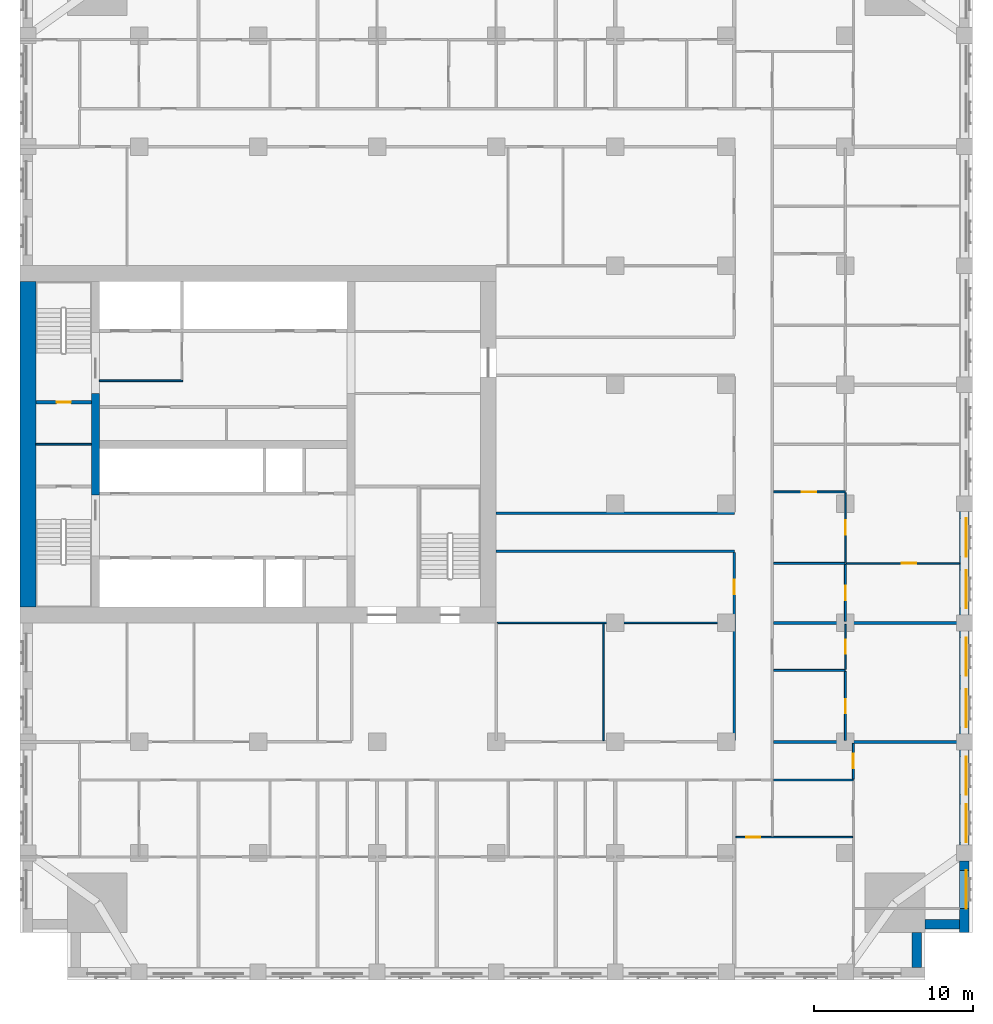
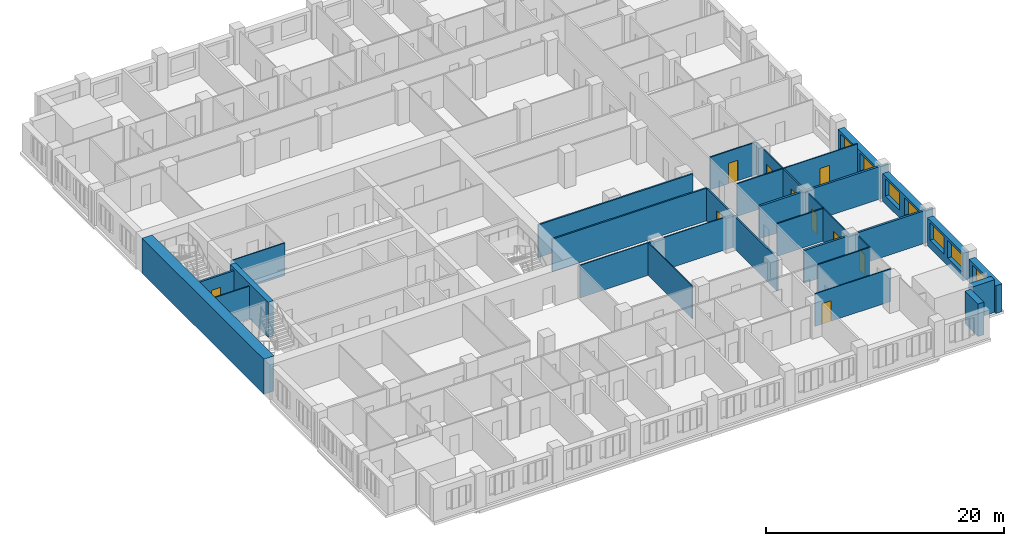
# One storey, part 7 of 14: 29 walls, 10 doors, 7 windows, 17 openings.
"""IFC4 building model written with IfcOpenShell, lengths in metres."""

from ifc_helpers import new_model, si_unit, direction, frame, frame_2d, origin, place, context, subcontext, project, spatial, rectangle, extrude, material, layer, layer_set, type_object, element, fill, save


model = new_model("IFC4")

# Units and contexts
model_context = context("Model", 3, precision=1e-05, world=origin(), true_north=direction((0.0, 1.0)))
body_context = subcontext(model_context, "Body", "Model", "MODEL_VIEW")
ifc_project = project(units=[si_unit("LENGTHUNIT", "METRE"), si_unit("AREAUNIT", "SQUARE_METRE"), si_unit("VOLUMEUNIT", "CUBIC_METRE"), si_unit("PLANEANGLEUNIT", "RADIAN"), si_unit("MASSUNIT", "GRAM", prefix="KILO")], contexts=[model_context])

# Site, building, storey
site_placement = place(None, origin())
site = spatial("IfcSite", under=ifc_project, at=site_placement, CompositionType="ELEMENT")
building_placement = place(site_placement, origin())
building = spatial("IfcBuilding", under=site, at=building_placement, Name="Tamorin Gate", CompositionType="ELEMENT")
storey_placement = place(building_placement, frame((0.0, 0.0, 104.300048828125)))
storey = spatial("IfcBuildingStorey", under=building, at=storey_placement, Name="L25", CompositionType="ELEMENT", Elevation=104.300048828125)

# Walls
ifc_material_1 = material(Name="Precast concrete C40/50", Category="concrete")
ifc_layer_1 = layer(ifc_material_1, 0.60009765625)
ifc_layer_set_1 = layer_set([ifc_layer_1], Name="Precast concrete C40/50")
wall_type_1 = type_object("IfcWallType", Name="Board-marked concrete facade panel 600", PredefinedType="SOLIDWALL", material=ifc_layer_set_1)
for number, where, z_axis, x_axis, name in (
    (1, (86.5, 38.300048828125, 0.0), (0.0, 0.0, 1.0), (0.0, 1.0, 0.0), "Facade panel"),
    (2, (87.0, 41.0, 0.0), (0.0, 0.0, 1.0), (1.0, 0.0, 0.0), "Facade panel"),
):
    element("IfcWall", number, at=place(storey_placement, frame(where, z_axis=z_axis, x_axis=x_axis)), inside=storey, type_object=wall_type_1, Name=name, PredefinedType="SOLIDWALL", context=body_context, shape_type="SweptSolid", body=[
        extrude(rectangle(XDim=2.199951171875, YDim=0.60009765625, at=frame_2d((1.10009765625, 0.0))), origin(), (0.0, 0.0, 1.0), 3.349853515625),
    ])

# Wall, opening, window
wall_1_placement = place(storey_placement, frame((89.5, 40.5, 0.0), z_axis=(0.0, 0.0, 1.0), x_axis=(0.0, 1.0, 0.0)))
wall_1 = element("IfcWall", 3, at=wall_1_placement, inside=storey, type_object=wall_type_1, Name="Facade panel", PredefinedType="SOLIDWALL", context=body_context, shape_type="SweptSolid", body=[
    extrude(rectangle(XDim=4.5, YDim=0.60009765625, at=frame_2d((2.25, 0.0))), origin(), (0.0, 0.0, 1.0), 2.849853515625),
])
opening_1_placement = place(wall_1_placement, frame((1.5, 0.0, 0.800048828125)))
opening_1 = element("IfcOpeningElement", 4, at=opening_1_placement, cuts=wall_1, Name="Opening WN1", PredefinedType="OPENING", context=body_context, shape_type="SweptSolid", body=[
    extrude(rectangle(XDim=2.39990234375, YDim=1.800048828125, at=frame_2d((1.199951171875, 0.89990234375))), frame((0.0, 0.31005859375, 0.0), z_axis=(0.0, -1.0, 0.0), x_axis=(1.0, 0.0, 0.0)), (0.0, 0.0, 1.0), 0.6201171875),
])
ifc_material_2 = material(Name="Clear glass in aluminium frame", Category="aluminium")
window_type = type_object("IfcWindowType", Name="Deep-set window 2400x1800", PartitioningType="SINGLE_PANEL", PredefinedType="WINDOW", material=ifc_material_2)
window_1_placement = place(opening_1_placement, origin())
window_1 = element("IfcWindow", 5, at=window_1_placement, inside=storey, type_object=window_type, Name="Deep-set window", OverallHeight=1.800048828125, OverallWidth=2.39990234375, PartitioningType="SINGLE_PANEL", PredefinedType="WINDOW", context=body_context, shape_type="SweptSolid", body=[
    extrude(rectangle(XDim=2.39990234375, YDim=1.800048828125, at=frame_2d((1.199951171875, 0.89990234375))), frame((0.0, -0.070068359375, 0.0), z_axis=(0.0, -1.0, 0.0), x_axis=(1.0, 0.0, 0.0)), (0.0, 0.0, 1.0), 0.06005859375),
])
fill(opening_1, window_1)

# Wall, openings, windows
wall_2_placement = place(storey_placement, frame((89.5, 46.0, 0.0), z_axis=(0.0, 0.0, 1.0), x_axis=(0.0, 1.0, 0.0)))
wall_2 = element("IfcWall", 6, at=wall_2_placement, inside=storey, type_object=wall_type_1, Name="Facade panel", PredefinedType="SOLIDWALL", context=body_context, shape_type="SweptSolid", body=[
    extrude(rectangle(XDim=6.0, YDim=0.60009765625, at=frame_2d((3.0, 0.0))), origin(), (0.0, 0.0, 1.0), 2.849853515625),
])
opening_2_placement = place(wall_2_placement, frame((0.175048828125, 0.0, 0.800048828125)))
opening_2 = element("IfcOpeningElement", 7, at=opening_2_placement, cuts=wall_2, Name="Opening WN1", PredefinedType="OPENING", context=body_context, shape_type="SweptSolid", body=[
    extrude(rectangle(XDim=2.39990234375, YDim=1.800048828125, at=frame_2d((1.199951171875, 0.89990234375))), frame((0.0, 0.31005859375, 0.0), z_axis=(0.0, -1.0, 0.0), x_axis=(1.0, 0.0, 0.0)), (0.0, 0.0, 1.0), 0.6201171875),
])
opening_3_placement = place(wall_2_placement, frame((3.175048828125, 0.0, 0.800048828125)))
opening_3 = element("IfcOpeningElement", 8, at=opening_3_placement, cuts=wall_2, Name="Opening WN1", PredefinedType="OPENING", context=body_context, shape_type="SweptSolid", body=[
    extrude(rectangle(XDim=2.39990234375, YDim=1.800048828125, at=frame_2d((1.199951171875, 0.89990234375))), frame((0.0, 0.31005859375, 0.0), z_axis=(0.0, -1.0, 0.0), x_axis=(1.0, 0.0, 0.0)), (0.0, 0.0, 1.0), 0.6201171875),
])
window_2_placement = place(opening_2_placement, origin())
window_2 = element("IfcWindow", 9, at=window_2_placement, inside=storey, type_object=window_type, Name="Deep-set window", OverallHeight=1.800048828125, OverallWidth=2.39990234375, PartitioningType="SINGLE_PANEL", PredefinedType="WINDOW", context=body_context, shape_type="SweptSolid", body=[
    extrude(rectangle(XDim=2.39990234375, YDim=1.800048828125, at=frame_2d((1.199951171875, 0.89990234375))), frame((0.0, -0.070068359375, 0.0), z_axis=(0.0, -1.0, 0.0), x_axis=(1.0, 0.0, 0.0)), (0.0, 0.0, 1.0), 0.06005859375),
])
fill(opening_2, window_2)
window_3_placement = place(opening_3_placement, origin())
window_3 = element("IfcWindow", 10, at=window_3_placement, inside=storey, type_object=window_type, Name="Deep-set window", OverallHeight=1.800048828125, OverallWidth=2.39990234375, PartitioningType="SINGLE_PANEL", PredefinedType="WINDOW", context=body_context, shape_type="SweptSolid", body=[
    extrude(rectangle(XDim=2.39990234375, YDim=1.800048828125, at=frame_2d((1.199951171875, 0.89990234375))), frame((0.0, -0.070068359375, 0.0), z_axis=(0.0, -1.0, 0.0), x_axis=(1.0, 0.0, 0.0)), (0.0, 0.0, 1.0), 0.06005859375),
])
fill(opening_3, window_3)

wall_3_placement = place(storey_placement, frame((89.5, 53.0, 0.0), z_axis=(0.0, 0.0, 1.0), x_axis=(0.0, 1.0, 0.0)))
wall_3 = element("IfcWall", 11, at=wall_3_placement, inside=storey, type_object=wall_type_1, Name="Facade panel", PredefinedType="SOLIDWALL", context=body_context, shape_type="SweptSolid", body=[
    extrude(rectangle(XDim=6.5, YDim=0.60009765625, at=frame_2d((3.25, 0.0))), origin(), (0.0, 0.0, 1.0), 2.849853515625),
])
opening_4_placement = place(wall_3_placement, frame((0.425048828125, 0.0, 0.800048828125)))
opening_4 = element("IfcOpeningElement", 12, at=opening_4_placement, cuts=wall_3, Name="Opening WN1", PredefinedType="OPENING", context=body_context, shape_type="SweptSolid", body=[
    extrude(rectangle(XDim=2.39990234375, YDim=1.800048828125, at=frame_2d((1.199951171875, 0.89990234375))), frame((0.0, 0.31005859375, 0.0), z_axis=(0.0, -1.0, 0.0), x_axis=(1.0, 0.0, 0.0)), (0.0, 0.0, 1.0), 0.6201171875),
])
opening_5_placement = place(wall_3_placement, frame((3.675048828125, 0.0, 0.800048828125)))
opening_5 = element("IfcOpeningElement", 13, at=opening_5_placement, cuts=wall_3, Name="Opening WN1", PredefinedType="OPENING", context=body_context, shape_type="SweptSolid", body=[
    extrude(rectangle(XDim=2.39990234375, YDim=1.800048828125, at=frame_2d((1.199951171875, 0.89990234375))), frame((0.0, 0.31005859375, 0.0), z_axis=(0.0, -1.0, 0.0), x_axis=(1.0, 0.0, 0.0)), (0.0, 0.0, 1.0), 0.6201171875),
])
window_4_placement = place(opening_4_placement, origin())
window_4 = element("IfcWindow", 14, at=window_4_placement, inside=storey, type_object=window_type, Name="Deep-set window", OverallHeight=1.800048828125, OverallWidth=2.39990234375, PartitioningType="SINGLE_PANEL", PredefinedType="WINDOW", context=body_context, shape_type="SweptSolid", body=[
    extrude(rectangle(XDim=2.39990234375, YDim=1.800048828125, at=frame_2d((1.199951171875, 0.89990234375))), frame((0.0, -0.070068359375, 0.0), z_axis=(0.0, -1.0, 0.0), x_axis=(1.0, 0.0, 0.0)), (0.0, 0.0, 1.0), 0.06005859375),
])
fill(opening_4, window_4)
window_5_placement = place(opening_5_placement, origin())
window_5 = element("IfcWindow", 15, at=window_5_placement, inside=storey, type_object=window_type, Name="Deep-set window", OverallHeight=1.800048828125, OverallWidth=2.39990234375, PartitioningType="SINGLE_PANEL", PredefinedType="WINDOW", context=body_context, shape_type="SweptSolid", body=[
    extrude(rectangle(XDim=2.39990234375, YDim=1.800048828125, at=frame_2d((1.199951171875, 0.89990234375))), frame((0.0, -0.070068359375, 0.0), z_axis=(0.0, -1.0, 0.0), x_axis=(1.0, 0.0, 0.0)), (0.0, 0.0, 1.0), 0.06005859375),
])
fill(opening_5, window_5)

wall_4_placement = place(storey_placement, frame((89.5, 60.5, 0.0), z_axis=(0.0, 0.0, 1.0), x_axis=(0.0, 1.0, 0.0)))
wall_4 = element("IfcWall", 16, at=wall_4_placement, inside=storey, type_object=wall_type_1, Name="Facade panel", PredefinedType="SOLIDWALL", context=body_context, shape_type="SweptSolid", body=[
    extrude(rectangle(XDim=6.5, YDim=0.60009765625, at=frame_2d((3.25, 0.0))), origin(), (0.0, 0.0, 1.0), 2.849853515625),
])
opening_6_placement = place(wall_4_placement, frame((0.425048828125, 0.0, 0.800048828125)))
opening_6 = element("IfcOpeningElement", 17, at=opening_6_placement, cuts=wall_4, Name="Opening WN1", PredefinedType="OPENING", context=body_context, shape_type="SweptSolid", body=[
    extrude(rectangle(XDim=2.39990234375, YDim=1.800048828125, at=frame_2d((1.199951171875, 0.89990234375))), frame((0.0, 0.31005859375, 0.0), z_axis=(0.0, -1.0, 0.0), x_axis=(1.0, 0.0, 0.0)), (0.0, 0.0, 1.0), 0.6201171875),
])
opening_7_placement = place(wall_4_placement, frame((3.675048828125, 0.0, 0.800048828125)))
opening_7 = element("IfcOpeningElement", 18, at=opening_7_placement, cuts=wall_4, Name="Opening WN1", PredefinedType="OPENING", context=body_context, shape_type="SweptSolid", body=[
    extrude(rectangle(XDim=2.39990234375, YDim=1.800048828125, at=frame_2d((1.199951171875, 0.89990234375))), frame((0.0, 0.31005859375, 0.0), z_axis=(0.0, -1.0, 0.0), x_axis=(1.0, 0.0, 0.0)), (0.0, 0.0, 1.0), 0.6201171875),
])
window_6_placement = place(opening_6_placement, origin())
window_6 = element("IfcWindow", 19, at=window_6_placement, inside=storey, type_object=window_type, Name="Deep-set window", OverallHeight=1.800048828125, OverallWidth=2.39990234375, PartitioningType="SINGLE_PANEL", PredefinedType="WINDOW", context=body_context, shape_type="SweptSolid", body=[
    extrude(rectangle(XDim=2.39990234375, YDim=1.800048828125, at=frame_2d((1.199951171875, 0.89990234375))), frame((0.0, -0.070068359375, 0.0), z_axis=(0.0, -1.0, 0.0), x_axis=(1.0, 0.0, 0.0)), (0.0, 0.0, 1.0), 0.06005859375),
])
fill(opening_6, window_6)
window_7_placement = place(opening_7_placement, origin())
window_7 = element("IfcWindow", 20, at=window_7_placement, inside=storey, type_object=window_type, Name="Deep-set window", OverallHeight=1.800048828125, OverallWidth=2.39990234375, PartitioningType="SINGLE_PANEL", PredefinedType="WINDOW", context=body_context, shape_type="SweptSolid", body=[
    extrude(rectangle(XDim=2.39990234375, YDim=1.800048828125, at=frame_2d((1.199951171875, 0.89990234375))), frame((0.0, -0.070068359375, 0.0), z_axis=(0.0, -1.0, 0.0), x_axis=(1.0, 0.0, 0.0)), (0.0, 0.0, 1.0), 0.06005859375),
])
fill(opening_7, window_7)

# Wall, opening, door
ifc_material_3 = material(Name="Gypsum board partition")
ifc_layer_2 = layer(ifc_material_3, 0.14990234375)
ifc_layer_set_2 = layer_set([ifc_layer_2], Name="Corridor wall 150")
wall_type_2 = type_object("IfcWallType", Name="Corridor wall 150", PredefinedType="PARTITIONING", material=ifc_layer_set_2)
wall_5_placement = place(storey_placement, frame((75.0, 52.574951171875, 0.0), z_axis=(0.0, 0.0, 1.0), x_axis=(0.0, 1.0, 0.0)))
wall_5 = element("IfcWall", 21, at=wall_5_placement, inside=storey, type_object=wall_type_2, Name="Corridor wall 150", PredefinedType="PARTITIONING", context=body_context, shape_type="SweptSolid", body=[
    extrude(rectangle(XDim=11.85009765625, YDim=0.14990234375, at=frame_2d((5.925048828125, 0.0))), origin(), (0.0, 0.0, 1.0), 3.349853515625),
])
opening_8_placement = place(wall_5_placement, frame((9.22509765625, 0.0, 0.0)))
opening_8 = element("IfcOpeningElement", 22, at=opening_8_placement, cuts=wall_5, Name="Opening DH8082", PredefinedType="OPENING", context=body_context, shape_type="SweptSolid", body=[
    extrude(rectangle(XDim=0.89990234375, YDim=2.10009765625, at=frame_2d((0.449951171875, 1.050048828125))), frame((0.0, 0.0849609375, 0.0), z_axis=(0.0, -1.0, 0.0), x_axis=(1.0, 0.0, 0.0)), (0.0, 0.0, 1.0), 0.169921875),
])
ifc_material_4 = material(Name="Timber door leaf", Category="wood")
door_type_1 = type_object("IfcDoorType", Name="Door 900 x 2100 FD30S", OperationType="NOTDEFINED", PredefinedType="DOOR", material=ifc_material_4)
door_1_placement = place(opening_8_placement, origin())
door_1 = element("IfcDoor", 23, at=door_1_placement, inside=storey, type_object=door_type_1, Name="Door DH8082", OperationType="SINGLE_SWING_LEFT", OverallHeight=2.10009765625, OverallWidth=0.89990234375, PredefinedType="DOOR", context=body_context, shape_type="SweptSolid", body=[
    extrude(rectangle(XDim=0.89990234375, YDim=2.10009765625, at=frame_2d((0.449951171875, 1.050048828125))), frame((0.0, 0.02490234375, 0.0), z_axis=(0.0, -1.0, 0.0), x_axis=(1.0, 0.0, 0.0)), (0.0, 0.0, 1.0), 0.050048828125),
])
fill(opening_8, door_1)

# Walls
ifc_layer_3 = layer(ifc_material_3, 0.199951171875)
ifc_layer_set_3 = layer_set([ifc_layer_3], Name="Demising wall 200")
wall_type_3 = type_object("IfcWallType", Name="Demising wall 200", PredefinedType="PARTITIONING", material=ifc_layer_set_3)
for number, where, z_axis, x_axis, name in (
    (24, (77.47509765625, 52.5, 0.0), (0.0, 0.0, 1.0), (1.0, 0.0, 0.0), "Demising wall 200"),
    (25, (77.47509765625, 60.0, 0.0), (0.0, 0.0, 1.0), (1.0, 0.0, 0.0), "Demising wall 200"),
):
    element("IfcWall", number, at=place(storey_placement, frame(where, z_axis=z_axis, x_axis=x_axis)), inside=storey, type_object=wall_type_3, Name=name, PredefinedType="PARTITIONING", context=body_context, shape_type="SweptSolid", body=[
        extrude(rectangle(XDim=12.52490234375, YDim=0.199951171875, at=frame_2d((6.262451171875, 0.0))), origin(), (0.0, 0.0, 1.0), 3.349853515625),
    ])
ifc_material_5 = material(Name="Fire-rated gypsum board partition")
ifc_layer_4 = layer(ifc_material_5, 0.10009765625)
ifc_layer_set_4 = layer_set([ifc_layer_4], Name="Lobby wall 100 EI 60")
wall_type_4 = type_object("IfcWallType", Name="Lobby wall 100 EI 60", PredefinedType="PARTITIONING", material=ifc_layer_set_4)
wall_6_placement = place(storey_placement, frame((35.0, 75.25, 0.0), z_axis=(0.0, 0.0, 1.0), x_axis=(1.0, 0.0, 0.0)))
element("IfcWall", 26, at=wall_6_placement, inside=storey, type_object=wall_type_4, Name="Firefighting lobby wall", PredefinedType="PARTITIONING", context=body_context, shape_type="SweptSolid", body=[
    extrude(rectangle(XDim=5.25, YDim=0.10009765625, at=frame_2d((2.625, 0.0))), origin(), (0.0, 0.0, 1.0), 3.349853515625),
])
ifc_layer_5 = layer(ifc_material_3, 0.14990234375)
ifc_layer_set_5 = layer_set([ifc_layer_5], Name="Lobby wall 150")
wall_type_5 = type_object("IfcWallType", Name="Lobby wall 150", PredefinedType="PARTITIONING", material=ifc_layer_set_5)
for number, where, z_axis, x_axis, name in (
    (27, (60.0, 64.5, 0.0), (0.0, 0.0, 1.0), (1.0, 0.0, 0.0), "Lobby wall 150"),
    (28, (60.0, 66.89990234375, 0.0), (0.0, 0.0, 1.0), (1.0, 0.0, 0.0), "Lobby wall 150"),
):
    element("IfcWall", number, at=place(storey_placement, frame(where, z_axis=z_axis, x_axis=x_axis)), inside=storey, type_object=wall_type_5, Name=name, PredefinedType="PARTITIONING", context=body_context, shape_type="SweptSolid", body=[
        extrude(rectangle(XDim=15.0, YDim=0.14990234375, at=frame_2d((7.5, 0.0))), origin(), (0.0, 0.0, 1.0), 3.349853515625),
    ])
ifc_material_6 = material(Name="Concrete C80/95", Category="concrete")
ifc_layer_6 = layer(ifc_material_6, 0.5)
ifc_layer_set_6 = layer_set([ifc_layer_6], Name="RC core internal wall 500 C80/95")
wall_type_6 = type_object("IfcWallType", Name="RC core internal wall 500 C80/95", PredefinedType="SHEAR", material=ifc_layer_set_6)
wall_7_placement = place(storey_placement, frame((34.75, 68.050048828125, 0.0), z_axis=(0.0, 0.0, 1.0), x_axis=(0.0, 1.0, 0.0)))
element("IfcWall", 29, at=wall_7_placement, inside=storey, type_object=wall_type_6, Name="Core cross wall L25", PredefinedType="SHEAR", context=body_context, shape_type="SweptSolid", body=[
    extrude(rectangle(XDim=6.39990234375, YDim=0.5, at=frame_2d((3.199951171875, 0.0))), origin(), (0.0, 0.0, 1.0), 3.599853515625),
])
ifc_layer_7 = layer(ifc_material_6, 1.0)
ifc_layer_set_7 = layer_set([ifc_layer_7], Name="RC core wall 1000 C80/95")
wall_type_7 = type_object("IfcWallType", Name="RC core wall 1000 C80/95", PredefinedType="SHEAR", material=ifc_layer_set_7)
wall_8_placement = place(storey_placement, frame((30.5, 61.0, 0.0), z_axis=(0.0, 0.0, 1.0), x_axis=(0.0, 1.0, 0.0)))
element("IfcWall", 30, at=wall_8_placement, inside=storey, type_object=wall_type_7, Name="Core wall L25", PredefinedType="SHEAR", context=body_context, shape_type="SweptSolid", body=[
    extrude(rectangle(XDim=20.5, YDim=1.0, at=frame_2d((10.25, 0.0))), origin(), (0.0, 0.0, 1.0), 3.599853515625),
])
ifc_layer_8 = layer(ifc_material_5, 0.10009765625)
ifc_layer_set_8 = layer_set([ifc_layer_8], Name="Riser partition 100 EI 120")
wall_type_8 = type_object("IfcWallType", Name="Riser partition 100 EI 120", PredefinedType="PARTITIONING", material=ifc_layer_set_8)
wall_9_placement = place(storey_placement, frame((31.0, 71.25, 0.0), z_axis=(0.0, 0.0, 1.0), x_axis=(1.0, 0.0, 0.0)))
element("IfcWall", 31, at=wall_9_placement, inside=storey, type_object=wall_type_8, Name="Riser partition", PredefinedType="PARTITIONING", context=body_context, shape_type="SweptSolid", body=[
    extrude(rectangle(XDim=3.5, YDim=0.10009765625, at=frame_2d((1.75, 0.0))), origin(), (0.0, 0.0, 1.0), 3.349853515625),
])

# Wall, opening, door
ifc_layer_9 = layer(ifc_material_3, 0.10009765625)
ifc_layer_set_9 = layer_set([ifc_layer_9], Name="Room partition 100")
wall_type_9 = type_object("IfcWallType", Name="Room partition 100", PredefinedType="PARTITIONING", material=ifc_layer_set_9)
wall_10_placement = place(storey_placement, frame((75.10009765625, 46.5, 0.0), z_axis=(0.0, 0.0, 1.0), x_axis=(1.0, 0.0, 0.0)))
wall_10 = element("IfcWall", 32, at=wall_10_placement, inside=storey, type_object=wall_type_9, Name="Room partition 100", PredefinedType="PARTITIONING", context=body_context, shape_type="SweptSolid", body=[
    extrude(rectangle(XDim=7.349853515625, YDim=0.10009765625, at=frame_2d((3.6748046875, 0.0))), origin(), (0.0, 0.0, 1.0), 3.349853515625),
])
opening_9_placement = place(wall_10_placement, frame((0.64990234375, 0.0, 0.0)))
opening_9 = element("IfcOpeningElement", 33, at=opening_9_placement, cuts=wall_10, Name="Opening DH8061", PredefinedType="OPENING", context=body_context, shape_type="SweptSolid", body=[
    extrude(rectangle(XDim=0.89990234375, YDim=2.10009765625, at=frame_2d((0.449951171875, 1.050048828125))), frame((0.0, 0.06005859375, 0.0), z_axis=(0.0, -1.0, 0.0), x_axis=(1.0, 0.0, 0.0)), (0.0, 0.0, 1.0), 0.1201171875),
])
door_type_2 = type_object("IfcDoorType", Name="Door 900 x 2100", OperationType="NOTDEFINED", PredefinedType="DOOR", material=ifc_material_4)
door_2_placement = place(opening_9_placement, origin())
door_2 = element("IfcDoor", 34, at=door_2_placement, inside=storey, type_object=door_type_2, Name="Door DH8061", OperationType="SINGLE_SWING_RIGHT", OverallHeight=2.10009765625, OverallWidth=0.89990234375, PredefinedType="DOOR", context=body_context, shape_type="SweptSolid", body=[
    extrude(rectangle(XDim=0.89990234375, YDim=2.10009765625, at=frame_2d((0.449951171875, 1.050048828125))), frame((0.0, 0.02490234375, 0.0), z_axis=(0.0, -1.0, 0.0), x_axis=(1.0, 0.0, 0.0)), (0.0, 0.0, 1.0), 0.050048828125),
])
fill(opening_9, door_2)

# Wall
wall_11_placement = place(storey_placement, frame((60.074951171875, 60.0, 0.0), z_axis=(0.0, 0.0, 1.0), x_axis=(1.0, 0.0, 0.0)))
element("IfcWall", 35, at=wall_11_placement, inside=storey, type_object=wall_type_9, Name="Room partition 100", PredefinedType="PARTITIONING", context=body_context, shape_type="SweptSolid", body=[
    extrude(rectangle(XDim=14.85009765625, YDim=0.10009765625, at=frame_2d((7.425048828125, 0.0))), origin(), (0.0, 0.0, 1.0), 3.349853515625),
])

# Wall, opening, door
wall_12_placement = place(storey_placement, frame((82.0625, 63.75, 0.0), z_axis=(0.0, 0.0, 1.0), x_axis=(1.0, 0.0, 0.0)))
wall_12 = element("IfcWall", 36, at=wall_12_placement, inside=storey, type_object=wall_type_9, Name="Room partition 100", PredefinedType="PARTITIONING", context=body_context, shape_type="SweptSolid", body=[
    extrude(rectangle(XDim=7.12744140625, YDim=0.10009765625, at=frame_2d((3.563720703125, 0.0))), origin(), (0.0, 0.0, 1.0), 3.349853515625),
])
opening_10_placement = place(wall_12_placement, frame((3.487548828125, 0.0, 0.0)))
opening_10 = element("IfcOpeningElement", 37, at=opening_10_placement, cuts=wall_12, Name="Opening DH8051", PredefinedType="OPENING", context=body_context, shape_type="SweptSolid", body=[
    extrude(rectangle(XDim=0.89990234375, YDim=2.10009765625, at=frame_2d((0.449951171875, 1.050048828125))), frame((0.0, 0.06005859375, 0.0), z_axis=(0.0, -1.0, 0.0), x_axis=(1.0, 0.0, 0.0)), (0.0, 0.0, 1.0), 0.1201171875),
])
door_3_placement = place(opening_10_placement, origin())
door_3 = element("IfcDoor", 38, at=door_3_placement, inside=storey, type_object=door_type_2, Name="Door DH8051", OperationType="SINGLE_SWING_RIGHT", OverallHeight=2.10009765625, OverallWidth=0.89990234375, PredefinedType="DOOR", context=body_context, shape_type="SweptSolid", body=[
    extrude(rectangle(XDim=0.89990234375, YDim=2.10009765625, at=frame_2d((0.449951171875, 1.050048828125))), frame((0.0, 0.02490234375, 0.0), z_axis=(0.0, -1.0, 0.0), x_axis=(1.0, 0.0, 0.0)), (0.0, 0.0, 1.0), 0.050048828125),
])
fill(opening_10, door_3)

# Wall
wall_13_placement = place(storey_placement, frame((66.75, 52.574951171875, 0.0), z_axis=(0.0, 0.0, 1.0), x_axis=(0.0, 1.0, 0.0)))
element("IfcWall", 39, at=wall_13_placement, inside=storey, type_object=wall_type_9, Name="Room partition 100", PredefinedType="PARTITIONING", context=body_context, shape_type="SweptSolid", body=[
    extrude(rectangle(XDim=7.375, YDim=0.10009765625, at=frame_2d((3.6875, 0.0))), origin(), (0.0, 0.0, 1.0), 3.349853515625),
])

# Wall, opening, door
wall_14_placement = place(storey_placement, frame((82.0, 57.0625, 0.0), z_axis=(0.0, 0.0, 1.0), x_axis=(0.0, 1.0, 0.0)))
wall_14 = element("IfcWall", 40, at=wall_14_placement, inside=storey, type_object=wall_type_9, Name="Room partition 100", PredefinedType="PARTITIONING", context=body_context, shape_type="SweptSolid", body=[
    extrude(rectangle(XDim=2.83740234375, YDim=0.10009765625, at=frame_2d((1.418701171875, 0.0))), origin(), (0.0, 0.0, 1.0), 3.349853515625),
])
opening_11_placement = place(wall_14_placement, frame((0.987548828125, 0.0, 0.0)))
opening_11 = element("IfcOpeningElement", 41, at=opening_11_placement, cuts=wall_14, Name="Opening DH8045", PredefinedType="OPENING", context=body_context, shape_type="SweptSolid", body=[
    extrude(rectangle(XDim=0.89990234375, YDim=2.10009765625, at=frame_2d((0.449951171875, 1.050048828125))), frame((0.0, 0.06005859375, 0.0), z_axis=(0.0, -1.0, 0.0), x_axis=(1.0, 0.0, 0.0)), (0.0, 0.0, 1.0), 0.1201171875),
])
door_4_placement = place(opening_11_placement, origin())
door_4 = element("IfcDoor", 42, at=door_4_placement, inside=storey, type_object=door_type_2, Name="Door DH8045", OperationType="SINGLE_SWING_LEFT", OverallHeight=2.10009765625, OverallWidth=0.89990234375, PredefinedType="DOOR", context=body_context, shape_type="SweptSolid", body=[
    extrude(rectangle(XDim=0.89990234375, YDim=2.10009765625, at=frame_2d((0.449951171875, 1.050048828125))), frame((0.0, 0.02490234375, 0.0), z_axis=(0.0, -1.0, 0.0), x_axis=(1.0, 0.0, 0.0)), (0.0, 0.0, 1.0), 0.050048828125),
])
fill(opening_11, door_4)

wall_15_placement = place(storey_placement, frame((82.0, 63.8125, 0.0), z_axis=(0.0, 0.0, 1.0), x_axis=(0.0, 1.0, 0.0)))
wall_15 = element("IfcWall", 43, at=wall_15_placement, inside=storey, type_object=wall_type_9, Name="Room partition 100", PredefinedType="PARTITIONING", context=body_context, shape_type="SweptSolid", body=[
    extrude(rectangle(XDim=4.375, YDim=0.10009765625, at=frame_2d((2.1875, 0.0))), origin(), (0.0, 0.0, 1.0), 3.349853515625),
])
opening_12_placement = place(wall_15_placement, frame((1.737548828125, 0.0, 0.0)))
opening_12 = element("IfcOpeningElement", 44, at=opening_12_placement, cuts=wall_15, Name="Opening DH8048", PredefinedType="OPENING", context=body_context, shape_type="SweptSolid", body=[
    extrude(rectangle(XDim=0.89990234375, YDim=2.10009765625, at=frame_2d((0.449951171875, 1.050048828125))), frame((0.0, 0.06005859375, 0.0), z_axis=(0.0, -1.0, 0.0), x_axis=(1.0, 0.0, 0.0)), (0.0, 0.0, 1.0), 0.1201171875),
])
door_5_placement = place(opening_12_placement, origin())
door_5 = element("IfcDoor", 45, at=door_5_placement, inside=storey, type_object=door_type_2, Name="Door DH8048", OperationType="SINGLE_SWING_LEFT", OverallHeight=2.10009765625, OverallWidth=0.89990234375, PredefinedType="DOOR", context=body_context, shape_type="SweptSolid", body=[
    extrude(rectangle(XDim=0.89990234375, YDim=2.10009765625, at=frame_2d((0.449951171875, 1.050048828125))), frame((0.0, 0.02490234375, 0.0), z_axis=(0.0, -1.0, 0.0), x_axis=(1.0, 0.0, 0.0)), (0.0, 0.0, 1.0), 0.050048828125),
])
fill(opening_12, door_5)

ifc_material_7 = material(Name="Concrete C40/50", Category="concrete")
ifc_layer_10 = layer(ifc_material_7, 0.199951171875)
ifc_layer_set_10 = layer_set([ifc_layer_10], Name="Stair enclosure wall 200 EI 120 C40/50")
wall_type_10 = type_object("IfcWallType", Name="Stair enclosure wall 200 EI 120 C40/50", PredefinedType="SOLIDWALL", material=ifc_layer_set_10)
wall_16_placement = place(storey_placement, frame((31.0, 73.89990234375, 0.0), z_axis=(0.0, 0.0, 1.0), x_axis=(1.0, 0.0, 0.0)))
wall_16 = element("IfcWall", 46, at=wall_16_placement, inside=storey, type_object=wall_type_10, Name="Stair enclosure wall", PredefinedType="SOLIDWALL", context=body_context, shape_type="SweptSolid", body=[
    extrude(rectangle(XDim=3.5, YDim=0.199951171875, at=frame_2d((1.75, 0.0))), origin(), (0.0, 0.0, 1.0), 3.349853515625),
])
opening_13_placement = place(wall_16_placement, frame((1.300048828125, 0.0, 0.0)))
opening_13 = element("IfcOpeningElement", 47, at=opening_13_placement, cuts=wall_16, Name="Opening DR1", PredefinedType="OPENING", context=body_context, shape_type="SweptSolid", body=[
    extrude(rectangle(XDim=0.89990234375, YDim=2.10009765625, at=frame_2d((0.449951171875, 1.050048828125))), frame((0.0, 0.10986328125, 0.0), z_axis=(0.0, -1.0, 0.0), x_axis=(1.0, 0.0, 0.0)), (0.0, 0.0, 1.0), 0.219970703125),
])
ifc_material_8 = material(Name="Steel fire door", Category="steel")
door_type_3 = type_object("IfcDoorType", Name="Riser access door 900 x 2100 EI 120", OperationType="SINGLE_SWING_LEFT", PredefinedType="DOOR", material=ifc_material_8)
door_6_placement = place(opening_13_placement, origin())
door_6 = element("IfcDoor", 48, at=door_6_placement, inside=storey, type_object=door_type_3, Name="Communications riser door", OperationType="SINGLE_SWING_RIGHT", OverallHeight=2.10009765625, OverallWidth=0.89990234375, PredefinedType="DOOR", context=body_context, shape_type="SweptSolid", body=[
    extrude(rectangle(XDim=0.89990234375, YDim=2.10009765625, at=frame_2d((0.449951171875, 1.050048828125))), frame((0.0, 0.02490234375, 0.0), z_axis=(0.0, -1.0, 0.0), x_axis=(1.0, 0.0, 0.0)), (0.0, 0.0, 1.0), 0.050048828125),
])
fill(opening_13, door_6)

# Walls
ifc_layer_11 = layer(ifc_material_3, 0.125)
ifc_layer_set_11 = layer_set([ifc_layer_11], Name="Wet wall 125")
wall_type_11 = type_object("IfcWallType", Name="Wet wall 125", PredefinedType="PARTITIONING", material=ifc_layer_set_11)
wall_17_placement = place(storey_placement, frame((77.47509765625, 50.10009765625, 0.0), z_axis=(0.0, 0.0, 1.0), x_axis=(1.0, 0.0, 0.0)))
element("IfcWall", 49, at=wall_17_placement, inside=storey, type_object=wall_type_11, Name="Wet wall 125", PredefinedType="PARTITIONING", context=body_context, shape_type="SweptSolid", body=[
    extrude(rectangle(XDim=5.02490234375, YDim=0.125, at=frame_2d((2.512451171875, 0.0))), origin(), (0.0, 0.0, 1.0), 3.349853515625),
])
for number, where, z_axis, x_axis, name in (
    (50, (77.47509765625, 57.0, 0.0), (0.0, 0.0, 1.0), (1.0, 0.0, 0.0), "Wet wall 125"),
    (51, (77.47509765625, 63.75, 0.0), (0.0, 0.0, 1.0), (1.0, 0.0, 0.0), "Wet wall 125"),
):
    element("IfcWall", number, at=place(storey_placement, frame(where, z_axis=z_axis, x_axis=x_axis)), inside=storey, type_object=wall_type_11, Name=name, PredefinedType="PARTITIONING", context=body_context, shape_type="SweptSolid", body=[
        extrude(rectangle(XDim=4.52490234375, YDim=0.125, at=frame_2d((2.262451171875, 0.0))), origin(), (0.0, 0.0, 1.0), 3.349853515625),
    ])

# Wall, opening, door
wall_18_placement = place(storey_placement, frame((77.47509765625, 68.25, 0.0), z_axis=(0.0, 0.0, 1.0), x_axis=(1.0, 0.0, 0.0)))
wall_18 = element("IfcWall", 52, at=wall_18_placement, inside=storey, type_object=wall_type_11, Name="Wet wall 125", PredefinedType="PARTITIONING", context=body_context, shape_type="SweptSolid", body=[
    extrude(rectangle(XDim=4.52490234375, YDim=0.125, at=frame_2d((2.262451171875, 0.0))), origin(), (0.0, 0.0, 1.0), 3.349853515625),
])
opening_14_placement = place(wall_18_placement, frame((1.77490234375, 0.0, 0.0)))
opening_14 = element("IfcOpeningElement", 53, at=opening_14_placement, cuts=wall_18, Name="Opening DH8049", PredefinedType="OPENING", context=body_context, shape_type="SweptSolid", body=[
    extrude(rectangle(XDim=0.89990234375, YDim=2.10009765625, at=frame_2d((0.449951171875, 1.050048828125))), frame((0.0, 0.072509765625, 0.0), z_axis=(0.0, -1.0, 0.0), x_axis=(1.0, 0.0, 0.0)), (0.0, 0.0, 1.0), 0.14501953125),
])
door_7_placement = place(opening_14_placement, origin())
door_7 = element("IfcDoor", 54, at=door_7_placement, inside=storey, type_object=door_type_2, Name="Door DH8049", OperationType="SINGLE_SWING_RIGHT", OverallHeight=2.10009765625, OverallWidth=0.89990234375, PredefinedType="DOOR", context=body_context, shape_type="SweptSolid", body=[
    extrude(rectangle(XDim=0.89990234375, YDim=2.10009765625, at=frame_2d((0.449951171875, 1.050048828125))), frame((0.0, 0.02490234375, 0.0), z_axis=(0.0, -1.0, 0.0), x_axis=(1.0, 0.0, 0.0)), (0.0, 0.0, 1.0), 0.050048828125),
])
fill(opening_14, door_7)

wall_19_placement = place(storey_placement, frame((82.0, 52.60009765625, 0.0), z_axis=(0.0, 0.0, 1.0), x_axis=(0.0, 1.0, 0.0)))
wall_19 = element("IfcWall", 55, at=wall_19_placement, inside=storey, type_object=wall_type_11, Name="Wet wall 125", PredefinedType="PARTITIONING", context=body_context, shape_type="SweptSolid", body=[
    extrude(rectangle(XDim=4.33740234375, YDim=0.125, at=frame_2d((2.168701171875, 0.0))), origin(), (0.0, 0.0, 1.0), 3.349853515625),
])
opening_15_placement = place(wall_19_placement, frame((1.699951171875, 0.0, 0.0)))
opening_15 = element("IfcOpeningElement", 56, at=opening_15_placement, cuts=wall_19, Name="Opening DH8043", PredefinedType="OPENING", context=body_context, shape_type="SweptSolid", body=[
    extrude(rectangle(XDim=0.89990234375, YDim=2.10009765625, at=frame_2d((0.449951171875, 1.050048828125))), frame((0.0, 0.072509765625, 0.0), z_axis=(0.0, -1.0, 0.0), x_axis=(1.0, 0.0, 0.0)), (0.0, 0.0, 1.0), 0.14501953125),
])
door_8_placement = place(opening_15_placement, origin())
door_8 = element("IfcDoor", 57, at=door_8_placement, inside=storey, type_object=door_type_2, Name="Door DH8043", OperationType="SINGLE_SWING_LEFT", OverallHeight=2.10009765625, OverallWidth=0.89990234375, PredefinedType="DOOR", context=body_context, shape_type="SweptSolid", body=[
    extrude(rectangle(XDim=0.89990234375, YDim=2.10009765625, at=frame_2d((0.449951171875, 1.050048828125))), frame((0.0, 0.02490234375, 0.0), z_axis=(0.0, -1.0, 0.0), x_axis=(1.0, 0.0, 0.0)), (0.0, 0.0, 1.0), 0.050048828125),
])
fill(opening_15, door_8)

wall_20_placement = place(storey_placement, frame((82.0, 60.10009765625, 0.0), z_axis=(0.0, 0.0, 1.0), x_axis=(0.0, 1.0, 0.0)))
wall_20 = element("IfcWall", 58, at=wall_20_placement, inside=storey, type_object=wall_type_11, Name="Wet wall 125", PredefinedType="PARTITIONING", context=body_context, shape_type="SweptSolid", body=[
    extrude(rectangle(XDim=3.58740234375, YDim=0.125, at=frame_2d((1.793701171875, 0.0))), origin(), (0.0, 0.0, 1.0), 3.349853515625),
])
opening_16_placement = place(wall_20_placement, frame((1.324951171875, 0.0, 0.0)))
opening_16 = element("IfcOpeningElement", 59, at=opening_16_placement, cuts=wall_20, Name="Opening DH8046", PredefinedType="OPENING", context=body_context, shape_type="SweptSolid", body=[
    extrude(rectangle(XDim=0.89990234375, YDim=2.10009765625, at=frame_2d((0.449951171875, 1.050048828125))), frame((0.0, 0.072509765625, 0.0), z_axis=(0.0, -1.0, 0.0), x_axis=(1.0, 0.0, 0.0)), (0.0, 0.0, 1.0), 0.14501953125),
])
door_9_placement = place(opening_16_placement, origin())
door_9 = element("IfcDoor", 60, at=door_9_placement, inside=storey, type_object=door_type_2, Name="Door DH8046", OperationType="SINGLE_SWING_LEFT", OverallHeight=2.10009765625, OverallWidth=0.89990234375, PredefinedType="DOOR", context=body_context, shape_type="SweptSolid", body=[
    extrude(rectangle(XDim=0.89990234375, YDim=2.10009765625, at=frame_2d((0.449951171875, 1.050048828125))), frame((0.0, 0.02490234375, 0.0), z_axis=(0.0, -1.0, 0.0), x_axis=(1.0, 0.0, 0.0)), (0.0, 0.0, 1.0), 0.050048828125),
])
fill(opening_16, door_9)

wall_21_placement = place(storey_placement, frame((82.5, 50.16259765625, 0.0), z_axis=(0.0, 0.0, 1.0), x_axis=(0.0, 1.0, 0.0)))
wall_21 = element("IfcWall", 61, at=wall_21_placement, inside=storey, type_object=wall_type_11, Name="Wet wall 125", PredefinedType="PARTITIONING", context=body_context, shape_type="SweptSolid", body=[
    extrude(rectangle(XDim=2.2373046875, YDim=0.125, at=frame_2d((1.11865234375, 0.0))), origin(), (0.0, 0.0, 1.0), 3.349853515625),
])
opening_17_placement = place(wall_21_placement, frame((0.6875, 0.0, 0.0)))
opening_17 = element("IfcOpeningElement", 62, at=opening_17_placement, cuts=wall_21, Name="Opening DH8065", PredefinedType="OPENING", context=body_context, shape_type="SweptSolid", body=[
    extrude(rectangle(XDim=0.89990234375, YDim=2.10009765625, at=frame_2d((0.449951171875, 1.050048828125))), frame((0.0, 0.072509765625, 0.0), z_axis=(0.0, -1.0, 0.0), x_axis=(1.0, 0.0, 0.0)), (0.0, 0.0, 1.0), 0.14501953125),
])
door_10_placement = place(opening_17_placement, origin())
door_10 = element("IfcDoor", 63, at=door_10_placement, inside=storey, type_object=door_type_2, Name="Door DH8065", OperationType="SINGLE_SWING_LEFT", OverallHeight=2.10009765625, OverallWidth=0.89990234375, PredefinedType="DOOR", context=body_context, shape_type="SweptSolid", body=[
    extrude(rectangle(XDim=0.89990234375, YDim=2.10009765625, at=frame_2d((0.449951171875, 1.050048828125))), frame((0.0, 0.02490234375, 0.0), z_axis=(0.0, -1.0, 0.0), x_axis=(1.0, 0.0, 0.0)), (0.0, 0.0, 1.0), 0.050048828125),
])
fill(opening_17, door_10)

save(model, "model.ifc")
